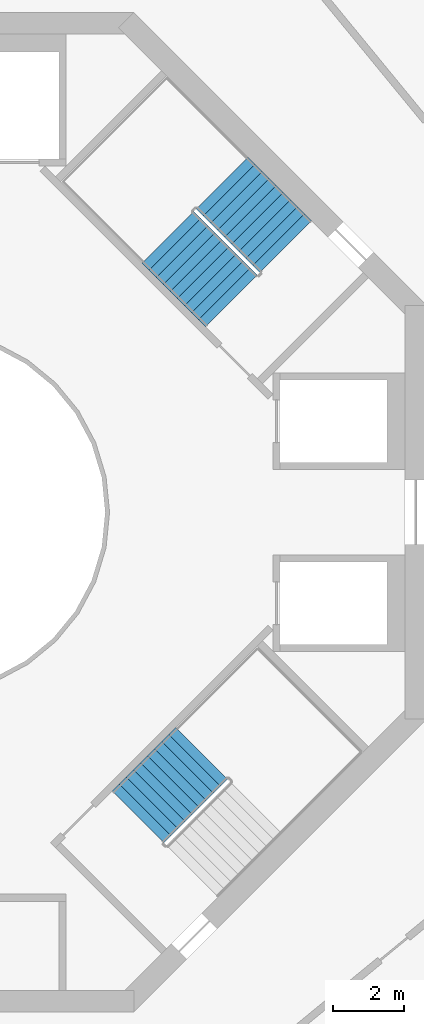
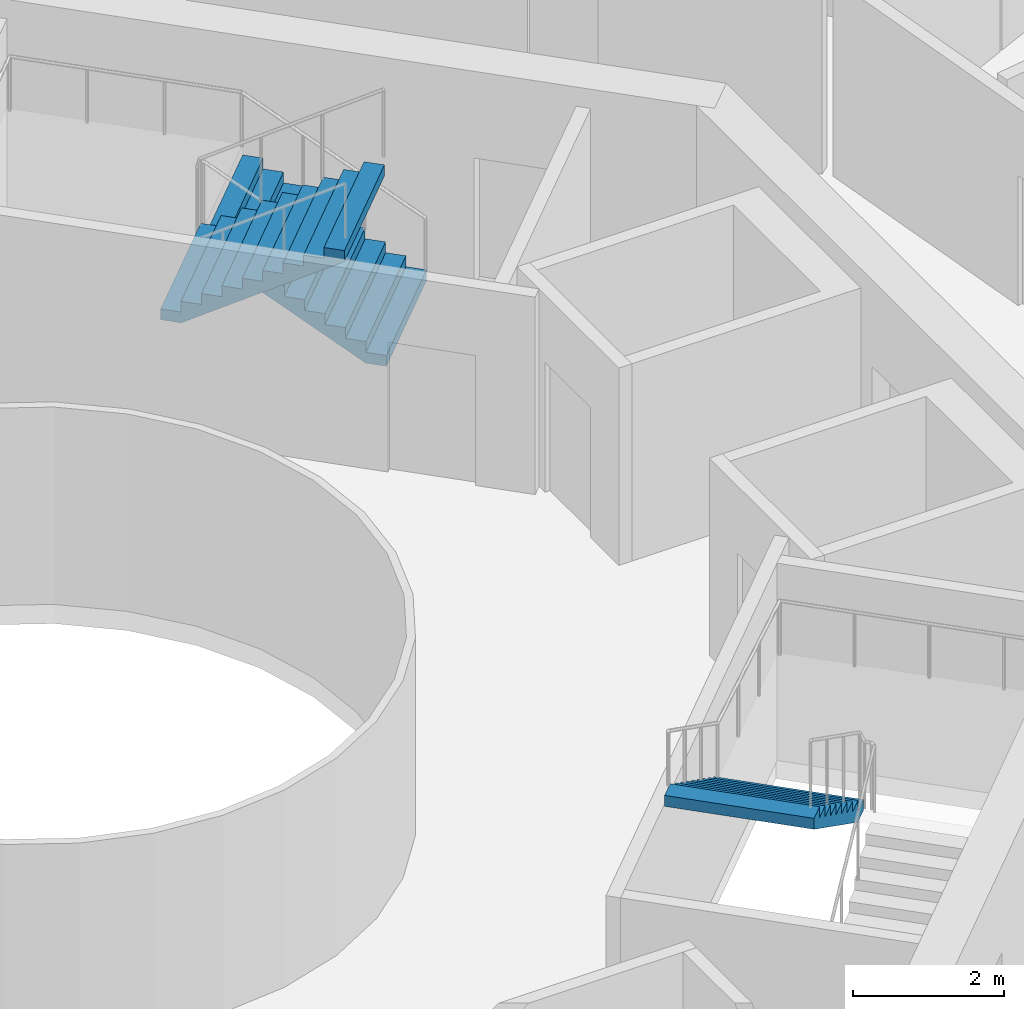
# One storey, part 20 of 21: 3 stair flights, 2 elements without a shape of their own.
"""IFC4 building model written with IfcOpenShell, lengths in metres."""

import ifcopenshell
import ifcopenshell.guid

model = None  # the IFC model being written
_history = None  # IfcOwnerHistory: only IFC2X3 demands one
_inside = {}  # id of a spatial element -> (the spatial element, [elements in it])
_under = {}  # id of a project, library or spatial element -> (it, [spatial elements below it])
_declared = {}  # id of a project -> (the project, [libraries it declares])
_typed = {}  # id of a type object -> (the type object, [elements of that type])
_made_of = {}  # id of a material, layer set ... -> (it, [elements and type objects made of it])


def new_model(schema):
    """Start an empty IFC model of exactly this schema.

    Asked for "IFC4X3", IfcOpenShell would pick the latest addendum, in which some entities
    have other attributes; the version numbers below select the first issue.
    IFC2X3 requires an IfcOwnerHistory on every rooted entity: one is made here for all.
    """
    global model, _history
    if schema == "IFC4X3":
        model = ifcopenshell.file(schema_version=(4, 3, 0, 0))
    else:
        model = ifcopenshell.file(schema=schema)
    _inside.clear()
    _under.clear()
    _declared.clear()
    _typed.clear()
    _made_of.clear()
    _history = None
    if model.schema == "IFC2X3":
        org = make("IfcOrganization", Name="unknown")
        user = make(
            "IfcPersonAndOrganization",
            ThePerson=make("IfcPerson", FamilyName="unknown"),
            TheOrganization=org,
        )
        app = make(
            "IfcApplication",
            ApplicationDeveloper=org,
            Version="unknown",
            ApplicationFullName="unknown",
            ApplicationIdentifier="unknown",
        )
        _history = make(
            "IfcOwnerHistory",
            OwningUser=user,
            OwningApplication=app,
            ChangeAction="ADDED",
            CreationDate=0,
        )
    return model


def make(cls, **values):
    """One entity of the class cls with the attributes given. An attribute that is None is left unset."""
    return model.create_entity(
        cls, **{name: value for name, value in values.items() if value is not None}
    )


def rooted(cls, **values):
    """An entity with a GlobalId (a new one), such as an element, a storey or a relation."""
    return make(cls, GlobalId=ifcopenshell.guid.new(), OwnerHistory=_history, **values)


def si_unit(unit_type, name, prefix=None):
    """IfcSIUnit, for example si_unit("LENGTHUNIT", "METRE", prefix="MILLI")."""
    return make("IfcSIUnit", UnitType=unit_type, Prefix=prefix, Name=name)


def assignment(units):
    """IfcUnitAssignment: the units of a project."""
    return None if units is None else make("IfcUnitAssignment", Units=units)


def point(xyz):
    """IfcCartesianPoint."""
    return None if xyz is None else make("IfcCartesianPoint", Coordinates=xyz)


def direction(xyz):
    """IfcDirection."""
    return None if xyz is None else make("IfcDirection", DirectionRatios=xyz)


def frame(location, z_axis=None, x_axis=None):
    """IfcAxis2Placement3D, a coordinate frame: its origin and axes. An axis left out is left unset."""
    return make(
        "IfcAxis2Placement3D",
        Location=point(location),
        Axis=direction(z_axis),
        RefDirection=direction(x_axis),
    )


def origin():
    """The frame at (0, 0, 0) with its axes left unset."""
    return frame((0.0, 0.0, 0.0))


def place(relative_to, where):
    """IfcLocalPlacement: puts the frame where relative to a parent placement (None: the world)."""
    return make(
        "IfcLocalPlacement", PlacementRelTo=relative_to, RelativePlacement=where
    )


def context(
    kind, dimensions, precision=None, world=None, true_north=None, identifier=None
):
    """IfcGeometricRepresentationContext, for example the 3D "Model" context."""
    return make(
        "IfcGeometricRepresentationContext",
        ContextIdentifier=identifier,
        ContextType=kind,
        CoordinateSpaceDimension=dimensions,
        Precision=precision,
        WorldCoordinateSystem=world,
        TrueNorth=true_north,
    )


def subcontext(parent, identifier, kind, view, scale=None):
    """IfcGeometricRepresentationSubContext, for example "Body" below "Model"."""
    return make(
        "IfcGeometricRepresentationSubContext",
        ContextIdentifier=identifier,
        ContextType=kind,
        ParentContext=parent,
        TargetScale=scale,
        TargetView=view,
    )


def project(units=None, contexts=None):
    """IfcProject with its units and contexts."""
    return rooted(
        "IfcProject",
        Name="project",
        RepresentationContexts=contexts,
        UnitsInContext=assignment(units),
    )


def spatial(cls, under=None, at=None, **own):
    """A site, building, storey or space (cls), placed at a placement, below another one or the project."""
    s = rooted(cls, ObjectPlacement=at, **own)
    if under is not None:
        _under.setdefault(under.id(), (under, []))[1].append(s)
    return s


def point_list(points):
    """IfcCartesianPointList2D or 3D."""
    cls = (
        "IfcCartesianPointList2D" if len(points[0]) == 2 else "IfcCartesianPointList3D"
    )
    return make(cls, CoordList=points)


def triangles(points, corners, closed=None, point_numbers=None):
    """IfcTriangulatedFaceSet: each triangle names its three corners, points numbered from 1."""
    return make(
        "IfcTriangulatedFaceSet",
        Coordinates=point_list(points),
        Closed=closed,
        CoordIndex=corners,
        PnIndex=point_numbers,
    )


def shape(context_of_items, identifier, shape_type, items):
    """IfcShapeRepresentation: the items that make up one representation, for example the "Body"."""
    return make(
        "IfcShapeRepresentation",
        ContextOfItems=context_of_items,
        RepresentationIdentifier=identifier,
        RepresentationType=shape_type,
        Items=items,
    )


def material(Name=None, Category=None):
    """IfcMaterial."""
    return make("IfcMaterial", Name=Name, Category=Category)


def made_of(thing, what):
    """Note that an element or type object is made of a material, layer set ...; save() writes the relation."""
    if what is not None:
        _made_of.setdefault(what.id(), (what, []))[1].append(thing)
    return thing


def type_object(cls, material=None, **own):
    """A type object (cls), such as IfcWallType, which elements share."""
    return made_of(rooted(cls, **own), material)


def element(
    cls,
    number,
    at=None,
    inside=None,
    cuts=None,
    type_object=None,
    material=None,
    context=None,
    identifier="Body",
    shape_type=None,
    held_by="IfcProductDefinitionShape",
    body=None,
    shapes=None,
    **own,
):
    """One element of the class cls, such as IfcWall. Its Tag is "e" and its number.

    at: its placement. inside: the storey or other place that contains it. cuts: it is an
    opening in that element (IfcRelVoidsElement). A single representation is given by context,
    identifier, shape_type and body (its items); several are given by shapes. held_by: the class
    of the entity that holds the representations. save() writes the other relations.
    """
    e = rooted(cls, Tag="e%d" % number, ObjectPlacement=at, **own)
    if body is not None:
        shapes = [shape(context, identifier, shape_type, body)]
    if shapes is not None:
        e.Representation = make(held_by, Representations=shapes)
    if inside is not None:
        _inside.setdefault(inside.id(), (inside, []))[1].append(e)
    if cuts is not None:
        rooted(
            "IfcRelVoidsElement", RelatingBuildingElement=cuts, RelatedOpeningElement=e
        )
    if type_object is not None:
        _typed.setdefault(type_object.id(), (type_object, []))[1].append(e)
    return made_of(e, material)


def aggregate(whole, parts):
    """IfcRelAggregates: a whole, such as a stair, and the parts it consists of."""
    return rooted("IfcRelAggregates", RelatingObject=whole, RelatedObjects=parts)


def save(model, path):
    """Write the relations noted so far, then the file.

    IfcRelAggregates (storeys below a building ...), IfcRelContainedInSpatialStructure (elements
    in a storey), IfcRelDefinesByType, IfcRelAssociatesMaterial and IfcRelDeclares: one each for
    every whole, place, type object, material and project.
    """
    for whole, parts in _under.values():
        aggregate(whole, parts)
    for where, things in _inside.values():
        rooted(
            "IfcRelContainedInSpatialStructure",
            RelatedElements=things,
            RelatingStructure=where,
        )
    for kind, things in _typed.values():
        rooted("IfcRelDefinesByType", RelatedObjects=things, RelatingType=kind)
    for what, things in _made_of.values():
        rooted("IfcRelAssociatesMaterial", RelatedObjects=things, RelatingMaterial=what)
    for by, libraries in _declared.values():
        rooted("IfcRelDeclares", RelatingContext=by, RelatedDefinitions=libraries)
    model.write(path)


model = new_model("IFC4")

# Units and contexts
model_context = context("Model", 3, precision=1e-05, world=origin(), true_north=direction((0.0, 1.0)))
body_context = subcontext(model_context, "Body", "Model", "MODEL_VIEW")
ifc_project = project(units=[si_unit("LENGTHUNIT", "METRE"), si_unit("AREAUNIT", "SQUARE_METRE"), si_unit("VOLUMEUNIT", "CUBIC_METRE"), si_unit("PLANEANGLEUNIT", "RADIAN"), si_unit("MASSUNIT", "GRAM", prefix="KILO")], contexts=[model_context])

# Site, building, storey
site_placement = place(None, origin())
site = spatial("IfcSite", under=ifc_project, at=site_placement, CompositionType="ELEMENT")
building_placement = place(site_placement, origin())
building = spatial("IfcBuilding", under=site, at=building_placement, Name="Verdalira Terraces Hotel", CompositionType="ELEMENT")
storey_placement = place(building_placement, frame((0.0, 0.0, 194.0)))
storey = spatial("IfcBuildingStorey", under=building, at=storey_placement, Name="L47", CompositionType="ELEMENT", Elevation=194.0)

# Stair, stair flights
ifc_material_1 = material(Name="Concrete C40", Category="concrete")
stair_type = type_object("IfcStairType", Name="Core stair 20 risers 2050 mm wide", PredefinedType="HALF_TURN_STAIR", material=ifc_material_1)
stair_1_placement = place(storey_placement, origin())
stair_1 = element("IfcStair", 1, at=stair_1_placement, inside=storey, type_object=stair_type, Name="L47 Exit stair ST1", PredefinedType="HALF_TURN_STAIR")
ifc_material_2 = material(Name="Concrete C40", Category="concrete")
stair_flight_type = type_object("IfcStairFlightType", Name="Core stair flight 20 risers 2050 mm wide", PredefinedType="STRAIGHT", material=ifc_material_2)
stair_flight_1_placement = place(storey_placement, frame((10.058594, 7.442383, 0.0), z_axis=(0.0, 0.0, 1.0), x_axis=(-0.707106781, 0.707106781, 0.0)))
stair_flight_1 = element("IfcStairFlight", 2, at=stair_flight_1_placement, type_object=stair_flight_type, Name="ST1 flight 1", NumberOfRisers=10, NumberOfTreads=9, PredefinedType="STRAIGHT", RiserHeight=0.175, TreadLength=0.28, context=body_context, shape_type="Tessellation", body=[
    triangles([(0.0, 1.025024, 0.0), (0.282715, 1.025024, 0.0), (2.52002, 1.025024, 1.398193), (0.0, -1.025024, 0.0), (0.282715, -1.025024, 0.0), (2.52002, -1.025024, 1.398193), (2.52002, 1.025024, 1.574951), (2.23999, 1.025024, 1.574951), (2.52002, -1.025024, 1.574951), (2.23999, -1.025024, 1.574951), (2.23999, 1.025024, 1.399902), (2.23999, -1.025024, 1.399902), (1.959961, 1.025024, 1.399902), (1.959961, -1.025024, 1.399902), (1.959961, 1.025024, 1.225098), (1.959961, -1.025024, 1.225098), (1.679932, 1.025024, 1.225098), (1.679932, 1.025024, 1.050049), (1.679932, -1.025024, 1.225098), (1.679932, -1.025024, 1.050049), (1.399902, 1.025024, 1.050049), (1.399902, 1.025024, 0.875), (1.399902, -1.025024, 1.050049), (1.399902, -1.025024, 0.875), (1.120117, 1.025024, 0.875), (1.120117, 1.025024, 0.699951), (1.120117, -1.025024, 0.875), (1.120117, -1.025024, 0.699951), (0.840088, 1.025024, 0.699951), (0.840088, 1.025024, 0.524902), (0.840088, -1.025024, 0.699951), (0.840088, -1.025024, 0.524902), (0.560059, 1.025024, 0.524902), (0.560059, 1.025024, 0.350098), (0.560059, -1.025024, 0.524902), (0.560059, -1.025024, 0.350098), (0.280029, 1.025024, 0.350098), (0.280029, 1.025024, 0.175049), (0.280029, -1.025024, 0.350098), (0.280029, -1.025024, 0.175049), (0.0, 1.025024, 0.175049), (0.0, -1.025024, 0.175049), (0.0, -0.96096, 0.0), (0.0, -0.96096, 0.175049), (0.0, -0.896896, 0.0), (0.0, -0.896896, 0.175049), (0.0, -0.832832, 0.0), (0.0, -0.832832, 0.175049), (0.0, -0.768768, 0.0), (0.0, -0.768768, 0.175049), (0.0, -0.704704, 0.0), (0.0, -0.704704, 0.175049), (0.0, -0.64064, 0.0), (0.0, -0.64064, 0.175049), (0.0, -0.576576, 0.0), (0.0, -0.576576, 0.175049), (0.0, -0.512512, 0.0), (0.0, -0.512512, 0.175049), (0.0, -0.448448, 0.0), (0.0, -0.448448, 0.175049), (0.0, -0.384384, 0.0), (0.0, -0.384384, 0.175049), (0.0, -0.32032, 0.0), (0.0, -0.32032, 0.175049), (0.0, -0.256256, 0.0), (0.0, -0.256256, 0.175049), (0.0, -0.192192, 0.0), (0.0, -0.192192, 0.175049), (0.0, -0.128128, 0.0), (0.0, -0.128128, 0.175049), (0.0, -0.064064, 0.0), (0.0, -0.064064, 0.175049), (0.0, 0.0, 0.0), (0.0, 0.0, 0.175049), (0.0, 0.064064, 0.0), (0.0, 0.064064, 0.175049), (0.0, 0.128128, 0.0), (0.0, 0.128128, 0.175049), (0.0, 0.192192, 0.0), (0.0, 0.192192, 0.175049), (0.0, 0.256256, 0.0), (0.0, 0.256256, 0.175049), (0.0, 0.32032, 0.0), (0.0, 0.32032, 0.175049), (0.0, 0.384384, 0.0), (0.0, 0.384384, 0.175049), (0.0, 0.448448, 0.0), (0.0, 0.448448, 0.175049), (0.0, 0.512512, 0.0), (0.0, 0.512512, 0.175049), (0.0, 0.576576, 0.0), (0.0, 0.576576, 0.175049), (0.0, 0.64064, 0.0), (0.0, 0.64064, 0.175049), (0.0, 0.704704, 0.0), (0.0, 0.704704, 0.175049), (0.0, 0.768768, 0.0), (0.0, 0.768768, 0.175049), (0.0, 0.832832, 0.0), (0.0, 0.832832, 0.175049), (0.0, 0.896896, 0.0), (0.0, 0.896896, 0.175049), (0.0, 0.96096, 0.0), (0.0, 0.96096, 0.175049), (2.52002, -0.96096, 1.574951), (2.52002, -0.896896, 1.574951), (2.52002, -0.832832, 1.574951), (2.52002, -0.768768, 1.574951), (2.52002, -0.704704, 1.574951), (2.52002, -0.64064, 1.574951), (2.52002, -0.576576, 1.574951), (2.52002, -0.512512, 1.574951), (2.52002, -0.448448, 1.574951), (2.52002, -0.384384, 1.574951), (2.52002, -0.32032, 1.574951), (2.52002, -0.256256, 1.574951), (2.52002, -0.192192, 1.574951), (2.52002, -0.128128, 1.574951), (2.52002, -0.064064, 1.574951), (2.52002, 0.0, 1.574951), (2.52002, 0.064064, 1.574951), (2.52002, 0.128128, 1.574951), (2.52002, 0.192192, 1.574951), (2.52002, 0.256256, 1.574951), (2.52002, 0.32032, 1.574951), (2.52002, 0.384384, 1.574951), (2.52002, 0.448448, 1.574951), (2.52002, 0.512512, 1.574951), (2.52002, 0.576576, 1.574951), (2.52002, 0.64064, 1.574951), (2.52002, 0.704704, 1.574951), (2.52002, 0.768768, 1.574951), (2.52002, 0.832832, 1.574951), (2.52002, 0.896896, 1.574951), (2.52002, 0.96096, 1.574951), (2.52002, -0.96096, 1.398193), (2.52002, -0.896896, 1.398193), (2.52002, -0.832832, 1.398193), (2.52002, -0.768768, 1.398193), (2.52002, -0.704704, 1.398193), (2.52002, -0.64064, 1.398193), (2.52002, -0.576576, 1.398193), (2.52002, -0.512512, 1.398193), (2.52002, -0.448448, 1.398193), (2.52002, -0.384384, 1.398193), (2.52002, -0.32032, 1.398193), (2.52002, -0.256256, 1.398193), (2.52002, -0.192192, 1.398193), (2.52002, -0.128128, 1.398193), (2.52002, -0.064064, 1.398193), (2.52002, 0.0, 1.398193), (2.52002, 0.064064, 1.398193), (2.52002, 0.128128, 1.398193), (2.52002, 0.192192, 1.398193), (2.52002, 0.256256, 1.398193), (2.52002, 0.32032, 1.398193), (2.52002, 0.384384, 1.398193), (2.52002, 0.448448, 1.398193), (2.52002, 0.512512, 1.398193), (2.52002, 0.576576, 1.398193), (2.52002, 0.64064, 1.398193), (2.52002, 0.704704, 1.398193), (2.52002, 0.768768, 1.398193), (2.52002, 0.832832, 1.398193), (2.52002, 0.896896, 1.398193), (2.52002, 0.96096, 1.398193)], [[1, 3, 2], [4, 5, 6], [3, 8, 7], [6, 9, 10], [3, 11, 8], [6, 10, 12], [3, 13, 11], [6, 12, 14], [3, 15, 13], [6, 14, 16], [15, 18, 17], [16, 19, 20], [3, 18, 15], [6, 16, 20], [18, 22, 21], [20, 23, 24], [3, 22, 18], [6, 20, 24], [22, 26, 25], [24, 27, 28], [3, 26, 22], [6, 24, 28], [26, 30, 29], [28, 31, 32], [3, 30, 26], [6, 28, 32], [1, 30, 3], [4, 6, 32], [30, 34, 33], [32, 35, 36], [34, 38, 37], [36, 39, 40], [30, 38, 34], [32, 36, 40], [1, 38, 30], [4, 32, 40], [38, 1, 41], [40, 42, 4], [4, 44, 43], [4, 42, 44], [43, 46, 45], [43, 44, 46], [45, 48, 47], [45, 46, 48], [47, 50, 49], [47, 48, 50], [49, 52, 51], [49, 50, 52], [51, 54, 53], [51, 52, 54], [53, 56, 55], [53, 54, 56], [55, 58, 57], [55, 56, 58], [57, 60, 59], [57, 58, 60], [59, 62, 61], [59, 60, 62], [61, 64, 63], [61, 62, 64], [63, 66, 65], [63, 64, 66], [65, 68, 67], [65, 66, 68], [67, 70, 69], [67, 68, 70], [69, 72, 71], [69, 70, 72], [71, 74, 73], [71, 72, 74], [73, 76, 75], [73, 74, 76], [75, 78, 77], [75, 76, 78], [77, 80, 79], [77, 78, 80], [79, 82, 81], [79, 80, 82], [81, 84, 83], [81, 82, 84], [83, 86, 85], [83, 84, 86], [85, 88, 87], [85, 86, 88], [87, 90, 89], [87, 88, 90], [89, 92, 91], [89, 90, 92], [91, 94, 93], [91, 92, 94], [93, 96, 95], [93, 94, 96], [95, 98, 97], [95, 96, 98], [97, 100, 99], [97, 98, 100], [99, 102, 101], [99, 100, 102], [101, 104, 103], [101, 102, 104], [103, 41, 1], [103, 104, 41], [42, 40, 44], [44, 40, 46], [46, 40, 48], [48, 40, 50], [50, 40, 52], [52, 40, 54], [54, 40, 56], [56, 40, 58], [58, 40, 60], [60, 40, 62], [62, 40, 64], [64, 40, 66], [66, 40, 68], [68, 40, 70], [70, 40, 72], [72, 40, 74], [74, 40, 76], [76, 40, 78], [78, 40, 80], [80, 40, 82], [82, 40, 84], [84, 40, 86], [86, 40, 88], [88, 40, 90], [90, 40, 92], [92, 40, 94], [94, 40, 96], [96, 40, 98], [98, 40, 100], [100, 40, 102], [102, 40, 104], [104, 40, 41], [41, 40, 38], [40, 37, 38], [40, 39, 37], [39, 34, 37], [39, 36, 34], [36, 33, 34], [36, 35, 33], [35, 30, 33], [35, 32, 30], [32, 29, 30], [32, 31, 29], [31, 26, 29], [31, 28, 26], [28, 25, 26], [28, 27, 25], [27, 22, 25], [27, 24, 22], [24, 21, 22], [24, 23, 21], [23, 18, 21], [23, 20, 18], [20, 17, 18], [20, 19, 17], [19, 15, 17], [19, 16, 15], [16, 13, 15], [16, 14, 13], [14, 11, 13], [14, 12, 11], [12, 8, 11], [12, 10, 8], [9, 105, 10], [105, 106, 10], [106, 107, 10], [107, 108, 10], [108, 109, 10], [109, 110, 10], [110, 111, 10], [111, 112, 10], [112, 113, 10], [113, 114, 10], [114, 115, 10], [115, 116, 10], [116, 117, 10], [117, 118, 10], [118, 119, 10], [119, 120, 10], [120, 121, 10], [121, 122, 10], [122, 123, 10], [123, 124, 10], [124, 125, 10], [125, 126, 10], [126, 127, 10], [127, 128, 10], [128, 129, 10], [129, 130, 10], [130, 131, 10], [131, 132, 10], [132, 133, 10], [133, 134, 10], [134, 135, 10], [135, 7, 10], [7, 8, 10], [9, 136, 105], [9, 6, 136], [105, 137, 106], [105, 136, 137], [106, 138, 107], [106, 137, 138], [107, 139, 108], [107, 138, 139], [108, 140, 109], [108, 139, 140], [109, 141, 110], [109, 140, 141], [110, 142, 111], [110, 141, 142], [111, 143, 112], [111, 142, 143], [112, 144, 113], [112, 143, 144], [113, 145, 114], [113, 144, 145], [114, 146, 115], [114, 145, 146], [115, 147, 116], [115, 146, 147], [116, 148, 117], [116, 147, 148], [117, 149, 118], [117, 148, 149], [118, 150, 119], [118, 149, 150], [119, 151, 120], [119, 150, 151], [120, 152, 121], [120, 151, 152], [121, 153, 122], [121, 152, 153], [122, 154, 123], [122, 153, 154], [123, 155, 124], [123, 154, 155], [124, 156, 125], [124, 155, 156], [125, 157, 126], [125, 156, 157], [126, 158, 127], [126, 157, 158], [127, 159, 128], [127, 158, 159], [128, 160, 129], [128, 159, 160], [129, 161, 130], [129, 160, 161], [130, 162, 131], [130, 161, 162], [131, 163, 132], [131, 162, 163], [132, 164, 133], [132, 163, 164], [133, 165, 134], [133, 164, 165], [134, 166, 135], [134, 165, 166], [135, 3, 7], [135, 166, 3], [6, 5, 136], [136, 5, 137], [137, 5, 138], [138, 5, 139], [139, 5, 140], [140, 5, 141], [141, 5, 142], [142, 5, 143], [143, 5, 144], [144, 5, 145], [145, 5, 146], [146, 5, 147], [147, 5, 148], [148, 5, 149], [149, 5, 150], [150, 5, 151], [151, 5, 152], [152, 5, 153], [153, 5, 154], [154, 5, 155], [155, 5, 156], [156, 5, 157], [157, 5, 158], [158, 5, 159], [159, 5, 160], [160, 5, 161], [161, 5, 162], [162, 5, 163], [163, 5, 164], [164, 5, 165], [165, 5, 166], [166, 5, 3], [3, 5, 2], [4, 43, 5], [43, 45, 5], [45, 47, 5], [47, 49, 5], [49, 51, 5], [51, 53, 5], [53, 55, 5], [55, 57, 5], [57, 59, 5], [59, 61, 5], [61, 63, 5], [63, 65, 5], [65, 67, 5], [67, 69, 5], [69, 71, 5], [71, 73, 5], [73, 75, 5], [75, 77, 5], [77, 79, 5], [79, 81, 5], [81, 83, 5], [83, 85, 5], [85, 87, 5], [87, 89, 5], [89, 91, 5], [91, 93, 5], [93, 95, 5], [95, 97, 5], [97, 99, 5], [99, 101, 5], [101, 103, 5], [103, 1, 5], [1, 2, 5]], closed=True),
])
stair_flight_2_placement = place(storey_placement, frame((6.756348, 7.703857, 1.75), z_axis=(0.0, 0.0, 1.0), x_axis=(0.707106781, -0.707106781, 0.0)))
stair_flight_2 = element("IfcStairFlight", 3, at=stair_flight_2_placement, type_object=stair_flight_type, Name="ST1 flight 2", NumberOfRisers=10, NumberOfTreads=9, PredefinedType="STRAIGHT", RiserHeight=0.175, TreadLength=0.28, context=body_context, shape_type="Tessellation", body=[
    triangles([(0.0, 1.025024, 0.0), (0.282715, 1.025024, 0.0), (2.52002, 1.025024, 1.398193), (0.0, -1.025024, 0.0), (0.282715, -1.025024, 0.0), (2.52002, -1.025024, 1.398193), (2.52002, 1.025024, 1.574951), (2.23999, 1.025024, 1.574951), (2.52002, -1.025024, 1.574951), (2.23999, -1.025024, 1.574951), (2.23999, 1.025024, 1.399902), (2.23999, -1.025024, 1.399902), (1.959961, 1.025024, 1.399902), (1.959961, -1.025024, 1.399902), (1.959961, 1.025024, 1.225098), (1.959961, -1.025024, 1.225098), (1.679932, 1.025024, 1.225098), (1.679932, 1.025024, 1.050049), (1.679932, -1.025024, 1.225098), (1.679932, -1.025024, 1.050049), (1.399902, 1.025024, 1.050049), (1.399902, 1.025024, 0.875), (1.399902, -1.025024, 1.050049), (1.399902, -1.025024, 0.875), (1.120117, 1.025024, 0.875), (1.120117, 1.025024, 0.699951), (1.120117, -1.025024, 0.875), (1.120117, -1.025024, 0.699951), (0.840088, 1.025024, 0.699951), (0.840088, 1.025024, 0.524902), (0.840088, -1.025024, 0.699951), (0.840088, -1.025024, 0.524902), (0.560059, 1.025024, 0.524902), (0.560059, 1.025024, 0.350098), (0.560059, -1.025024, 0.524902), (0.560059, -1.025024, 0.350098), (0.280029, 1.025024, 0.350098), (0.280029, 1.025024, 0.175049), (0.280029, -1.025024, 0.350098), (0.280029, -1.025024, 0.175049), (0.0, 1.025024, 0.175049), (0.0, -1.025024, 0.175049), (0.0, -0.96096, 0.0), (0.0, -0.96096, 0.175049), (0.0, -0.896896, 0.0), (0.0, -0.896896, 0.175049), (0.0, -0.832832, 0.0), (0.0, -0.832832, 0.175049), (0.0, -0.768768, 0.0), (0.0, -0.768768, 0.175049), (0.0, -0.704704, 0.0), (0.0, -0.704704, 0.175049), (0.0, -0.64064, 0.0), (0.0, -0.64064, 0.175049), (0.0, -0.576576, 0.0), (0.0, -0.576576, 0.175049), (0.0, -0.512512, 0.0), (0.0, -0.512512, 0.175049), (0.0, -0.448448, 0.0), (0.0, -0.448448, 0.175049), (0.0, -0.384384, 0.0), (0.0, -0.384384, 0.175049), (0.0, -0.32032, 0.0), (0.0, -0.32032, 0.175049), (0.0, -0.256256, 0.0), (0.0, -0.256256, 0.175049), (0.0, -0.192192, 0.0), (0.0, -0.192192, 0.175049), (0.0, -0.128128, 0.0), (0.0, -0.128128, 0.175049), (0.0, -0.064064, 0.0), (0.0, -0.064064, 0.175049), (0.0, 0.0, 0.0), (0.0, 0.0, 0.175049), (0.0, 0.064064, 0.0), (0.0, 0.064064, 0.175049), (0.0, 0.128128, 0.0), (0.0, 0.128128, 0.175049), (0.0, 0.192192, 0.0), (0.0, 0.192192, 0.175049), (0.0, 0.256256, 0.0), (0.0, 0.256256, 0.175049), (0.0, 0.32032, 0.0), (0.0, 0.32032, 0.175049), (0.0, 0.384384, 0.0), (0.0, 0.384384, 0.175049), (0.0, 0.448448, 0.0), (0.0, 0.448448, 0.175049), (0.0, 0.512512, 0.0), (0.0, 0.512512, 0.175049), (0.0, 0.576576, 0.0), (0.0, 0.576576, 0.175049), (0.0, 0.64064, 0.0), (0.0, 0.64064, 0.175049), (0.0, 0.704704, 0.0), (0.0, 0.704704, 0.175049), (0.0, 0.768768, 0.0), (0.0, 0.768768, 0.175049), (0.0, 0.832832, 0.0), (0.0, 0.832832, 0.175049), (0.0, 0.896896, 0.0), (0.0, 0.896896, 0.175049), (0.0, 0.96096, 0.0), (0.0, 0.96096, 0.175049), (2.52002, -0.96096, 1.574951), (2.52002, -0.896896, 1.574951), (2.52002, -0.832832, 1.574951), (2.52002, -0.768768, 1.574951), (2.52002, -0.704704, 1.574951), (2.52002, -0.64064, 1.574951), (2.52002, -0.576576, 1.574951), (2.52002, -0.512512, 1.574951), (2.52002, -0.448448, 1.574951), (2.52002, -0.384384, 1.574951), (2.52002, -0.32032, 1.574951), (2.52002, -0.256256, 1.574951), (2.52002, -0.192192, 1.574951), (2.52002, -0.128128, 1.574951), (2.52002, -0.064064, 1.574951), (2.52002, 0.0, 1.574951), (2.52002, 0.064064, 1.574951), (2.52002, 0.128128, 1.574951), (2.52002, 0.192192, 1.574951), (2.52002, 0.256256, 1.574951), (2.52002, 0.32032, 1.574951), (2.52002, 0.384384, 1.574951), (2.52002, 0.448448, 1.574951), (2.52002, 0.512512, 1.574951), (2.52002, 0.576576, 1.574951), (2.52002, 0.64064, 1.574951), (2.52002, 0.704704, 1.574951), (2.52002, 0.768768, 1.574951), (2.52002, 0.832832, 1.574951), (2.52002, 0.896896, 1.574951), (2.52002, 0.96096, 1.574951), (2.52002, -0.96096, 1.398193), (2.52002, -0.896896, 1.398193), (2.52002, -0.832832, 1.398193), (2.52002, -0.768768, 1.398193), (2.52002, -0.704704, 1.398193), (2.52002, -0.64064, 1.398193), (2.52002, -0.576576, 1.398193), (2.52002, -0.512512, 1.398193), (2.52002, -0.448448, 1.398193), (2.52002, -0.384384, 1.398193), (2.52002, -0.32032, 1.398193), (2.52002, -0.256256, 1.398193), (2.52002, -0.192192, 1.398193), (2.52002, -0.128128, 1.398193), (2.52002, -0.064064, 1.398193), (2.52002, 0.0, 1.398193), (2.52002, 0.064064, 1.398193), (2.52002, 0.128128, 1.398193), (2.52002, 0.192192, 1.398193), (2.52002, 0.256256, 1.398193), (2.52002, 0.32032, 1.398193), (2.52002, 0.384384, 1.398193), (2.52002, 0.448448, 1.398193), (2.52002, 0.512512, 1.398193), (2.52002, 0.576576, 1.398193), (2.52002, 0.64064, 1.398193), (2.52002, 0.704704, 1.398193), (2.52002, 0.768768, 1.398193), (2.52002, 0.832832, 1.398193), (2.52002, 0.896896, 1.398193), (2.52002, 0.96096, 1.398193)], [[1, 3, 2], [4, 5, 6], [3, 8, 7], [6, 9, 10], [3, 11, 8], [6, 10, 12], [3, 13, 11], [6, 12, 14], [3, 15, 13], [6, 14, 16], [15, 18, 17], [16, 19, 20], [3, 18, 15], [6, 16, 20], [18, 22, 21], [20, 23, 24], [3, 22, 18], [6, 20, 24], [22, 26, 25], [24, 27, 28], [3, 26, 22], [6, 24, 28], [26, 30, 29], [28, 31, 32], [3, 30, 26], [6, 28, 32], [1, 30, 3], [4, 6, 32], [30, 34, 33], [32, 35, 36], [34, 38, 37], [36, 39, 40], [30, 38, 34], [32, 36, 40], [1, 38, 30], [4, 32, 40], [38, 1, 41], [40, 42, 4], [4, 44, 43], [4, 42, 44], [43, 46, 45], [43, 44, 46], [45, 48, 47], [45, 46, 48], [47, 50, 49], [47, 48, 50], [49, 52, 51], [49, 50, 52], [51, 54, 53], [51, 52, 54], [53, 56, 55], [53, 54, 56], [55, 58, 57], [55, 56, 58], [57, 60, 59], [57, 58, 60], [59, 62, 61], [59, 60, 62], [61, 64, 63], [61, 62, 64], [63, 66, 65], [63, 64, 66], [65, 68, 67], [65, 66, 68], [67, 70, 69], [67, 68, 70], [69, 72, 71], [69, 70, 72], [71, 74, 73], [71, 72, 74], [73, 76, 75], [73, 74, 76], [75, 78, 77], [75, 76, 78], [77, 80, 79], [77, 78, 80], [79, 82, 81], [79, 80, 82], [81, 84, 83], [81, 82, 84], [83, 86, 85], [83, 84, 86], [85, 88, 87], [85, 86, 88], [87, 90, 89], [87, 88, 90], [89, 92, 91], [89, 90, 92], [91, 94, 93], [91, 92, 94], [93, 96, 95], [93, 94, 96], [95, 98, 97], [95, 96, 98], [97, 100, 99], [97, 98, 100], [99, 102, 101], [99, 100, 102], [101, 104, 103], [101, 102, 104], [103, 41, 1], [103, 104, 41], [42, 40, 44], [44, 40, 46], [46, 40, 48], [48, 40, 50], [50, 40, 52], [52, 40, 54], [54, 40, 56], [56, 40, 58], [58, 40, 60], [60, 40, 62], [62, 40, 64], [64, 40, 66], [66, 40, 68], [68, 40, 70], [70, 40, 72], [72, 40, 74], [74, 40, 76], [76, 40, 78], [78, 40, 80], [80, 40, 82], [82, 40, 84], [84, 40, 86], [86, 40, 88], [88, 40, 90], [90, 40, 92], [92, 40, 94], [94, 40, 96], [96, 40, 98], [98, 40, 100], [100, 40, 102], [102, 40, 104], [104, 40, 41], [41, 40, 38], [40, 37, 38], [40, 39, 37], [39, 34, 37], [39, 36, 34], [36, 33, 34], [36, 35, 33], [35, 30, 33], [35, 32, 30], [32, 29, 30], [32, 31, 29], [31, 26, 29], [31, 28, 26], [28, 25, 26], [28, 27, 25], [27, 22, 25], [27, 24, 22], [24, 21, 22], [24, 23, 21], [23, 18, 21], [23, 20, 18], [20, 17, 18], [20, 19, 17], [19, 15, 17], [19, 16, 15], [16, 13, 15], [16, 14, 13], [14, 11, 13], [14, 12, 11], [12, 8, 11], [12, 10, 8], [9, 105, 10], [105, 106, 10], [106, 107, 10], [107, 108, 10], [108, 109, 10], [109, 110, 10], [110, 111, 10], [111, 112, 10], [112, 113, 10], [113, 114, 10], [114, 115, 10], [115, 116, 10], [116, 117, 10], [117, 118, 10], [118, 119, 10], [119, 120, 10], [120, 121, 10], [121, 122, 10], [122, 123, 10], [123, 124, 10], [124, 125, 10], [125, 126, 10], [126, 127, 10], [127, 128, 10], [128, 129, 10], [129, 130, 10], [130, 131, 10], [131, 132, 10], [132, 133, 10], [133, 134, 10], [134, 135, 10], [135, 7, 10], [7, 8, 10], [9, 136, 105], [9, 6, 136], [105, 137, 106], [105, 136, 137], [106, 138, 107], [106, 137, 138], [107, 139, 108], [107, 138, 139], [108, 140, 109], [108, 139, 140], [109, 141, 110], [109, 140, 141], [110, 142, 111], [110, 141, 142], [111, 143, 112], [111, 142, 143], [112, 144, 113], [112, 143, 144], [113, 145, 114], [113, 144, 145], [114, 146, 115], [114, 145, 146], [115, 147, 116], [115, 146, 147], [116, 148, 117], [116, 147, 148], [117, 149, 118], [117, 148, 149], [118, 150, 119], [118, 149, 150], [119, 151, 120], [119, 150, 151], [120, 152, 121], [120, 151, 152], [121, 153, 122], [121, 152, 153], [122, 154, 123], [122, 153, 154], [123, 155, 124], [123, 154, 155], [124, 156, 125], [124, 155, 156], [125, 157, 126], [125, 156, 157], [126, 158, 127], [126, 157, 158], [127, 159, 128], [127, 158, 159], [128, 160, 129], [128, 159, 160], [129, 161, 130], [129, 160, 161], [130, 162, 131], [130, 161, 162], [131, 163, 132], [131, 162, 163], [132, 164, 133], [132, 163, 164], [133, 165, 134], [133, 164, 165], [134, 166, 135], [134, 165, 166], [135, 3, 7], [135, 166, 3], [6, 5, 136], [136, 5, 137], [137, 5, 138], [138, 5, 139], [139, 5, 140], [140, 5, 141], [141, 5, 142], [142, 5, 143], [143, 5, 144], [144, 5, 145], [145, 5, 146], [146, 5, 147], [147, 5, 148], [148, 5, 149], [149, 5, 150], [150, 5, 151], [151, 5, 152], [152, 5, 153], [153, 5, 154], [154, 5, 155], [155, 5, 156], [156, 5, 157], [157, 5, 158], [158, 5, 159], [159, 5, 160], [160, 5, 161], [161, 5, 162], [162, 5, 163], [163, 5, 164], [164, 5, 165], [165, 5, 166], [166, 5, 3], [3, 5, 2], [4, 43, 5], [43, 45, 5], [45, 47, 5], [47, 49, 5], [49, 51, 5], [51, 53, 5], [53, 55, 5], [55, 57, 5], [57, 59, 5], [59, 61, 5], [61, 63, 5], [63, 65, 5], [65, 67, 5], [67, 69, 5], [69, 71, 5], [71, 73, 5], [73, 75, 5], [75, 77, 5], [77, 79, 5], [79, 81, 5], [81, 83, 5], [83, 85, 5], [85, 87, 5], [87, 89, 5], [89, 91, 5], [91, 93, 5], [93, 95, 5], [95, 97, 5], [97, 99, 5], [99, 101, 5], [101, 103, 5], [103, 1, 5], [1, 2, 5]], closed=True),
])
aggregate(stair_1, [stair_flight_1, stair_flight_2])

# Stair, stair flight
stair_2_placement = place(storey_placement, origin())
stair_2 = element("IfcStair", 4, at=stair_2_placement, inside=storey, type_object=stair_type, Name="L47 Exit stair ST3", PredefinedType="HALF_TURN_STAIR")
stair_flight_3_placement = place(storey_placement, frame((7.703857, -6.756348, 1.75), z_axis=(0.0, 0.0, 1.0), x_axis=(-0.707106781, -0.707106781, 0.0)))
stair_flight_3 = element("IfcStairFlight", 5, at=stair_flight_3_placement, type_object=stair_flight_type, Name="ST3 flight 2", NumberOfRisers=10, NumberOfTreads=9, PredefinedType="STRAIGHT", RiserHeight=0.175, TreadLength=0.28, context=body_context, shape_type="Tessellation", body=[
    triangles([(0.0, 1.025024, 0.0), (0.282715, 1.025024, 0.0), (2.52002, 1.025024, 1.398193), (0.0, -1.025024, 0.0), (0.282715, -1.025024, 0.0), (2.52002, -1.025024, 1.398193), (2.52002, 1.025024, 1.574951), (2.23999, 1.025024, 1.574951), (2.52002, -1.025024, 1.574951), (2.23999, -1.025024, 1.574951), (2.23999, 1.025024, 1.399902), (2.23999, -1.025024, 1.399902), (1.959961, 1.025024, 1.399902), (1.959961, -1.025024, 1.399902), (1.959961, 1.025024, 1.225098), (1.959961, -1.025024, 1.225098), (1.679932, 1.025024, 1.225098), (1.679932, 1.025024, 1.050049), (1.679932, -1.025024, 1.225098), (1.679932, -1.025024, 1.050049), (1.399902, 1.025024, 1.050049), (1.399902, 1.025024, 0.875), (1.399902, -1.025024, 1.050049), (1.399902, -1.025024, 0.875), (1.120117, 1.025024, 0.875), (1.120117, 1.025024, 0.699951), (1.120117, -1.025024, 0.875), (1.120117, -1.025024, 0.699951), (0.840088, 1.025024, 0.699951), (0.840088, 1.025024, 0.524902), (0.840088, -1.025024, 0.699951), (0.840088, -1.025024, 0.524902), (0.560059, 1.025024, 0.524902), (0.560059, 1.025024, 0.350098), (0.560059, -1.025024, 0.524902), (0.560059, -1.025024, 0.350098), (0.280029, 1.025024, 0.350098), (0.280029, 1.025024, 0.175049), (0.280029, -1.025024, 0.350098), (0.280029, -1.025024, 0.175049), (0.0, 1.025024, 0.175049), (0.0, -1.025024, 0.175049), (0.0, -0.96096, 0.0), (0.0, -0.96096, 0.175049), (0.0, -0.896896, 0.0), (0.0, -0.896896, 0.175049), (0.0, -0.832832, 0.0), (0.0, -0.832832, 0.175049), (0.0, -0.768768, 0.0), (0.0, -0.768768, 0.175049), (0.0, -0.704704, 0.0), (0.0, -0.704704, 0.175049), (0.0, -0.64064, 0.0), (0.0, -0.64064, 0.175049), (0.0, -0.576576, 0.0), (0.0, -0.576576, 0.175049), (0.0, -0.512512, 0.0), (0.0, -0.512512, 0.175049), (0.0, -0.448448, 0.0), (0.0, -0.448448, 0.175049), (0.0, -0.384384, 0.0), (0.0, -0.384384, 0.175049), (0.0, -0.32032, 0.0), (0.0, -0.32032, 0.175049), (0.0, -0.256256, 0.0), (0.0, -0.256256, 0.175049), (0.0, -0.192192, 0.0), (0.0, -0.192192, 0.175049), (0.0, -0.128128, 0.0), (0.0, -0.128128, 0.175049), (0.0, -0.064064, 0.0), (0.0, -0.064064, 0.175049), (0.0, 0.0, 0.0), (0.0, 0.0, 0.175049), (0.0, 0.064064, 0.0), (0.0, 0.064064, 0.175049), (0.0, 0.128128, 0.0), (0.0, 0.128128, 0.175049), (0.0, 0.192192, 0.0), (0.0, 0.192192, 0.175049), (0.0, 0.256256, 0.0), (0.0, 0.256256, 0.175049), (0.0, 0.32032, 0.0), (0.0, 0.32032, 0.175049), (0.0, 0.384384, 0.0), (0.0, 0.384384, 0.175049), (0.0, 0.448448, 0.0), (0.0, 0.448448, 0.175049), (0.0, 0.512512, 0.0), (0.0, 0.512512, 0.175049), (0.0, 0.576576, 0.0), (0.0, 0.576576, 0.175049), (0.0, 0.64064, 0.0), (0.0, 0.64064, 0.175049), (0.0, 0.704704, 0.0), (0.0, 0.704704, 0.175049), (0.0, 0.768768, 0.0), (0.0, 0.768768, 0.175049), (0.0, 0.832832, 0.0), (0.0, 0.832832, 0.175049), (0.0, 0.896896, 0.0), (0.0, 0.896896, 0.175049), (0.0, 0.96096, 0.0), (0.0, 0.96096, 0.175049), (2.52002, -0.96096, 1.574951), (2.52002, -0.896896, 1.574951), (2.52002, -0.832832, 1.574951), (2.52002, -0.768768, 1.574951), (2.52002, -0.704704, 1.574951), (2.52002, -0.64064, 1.574951), (2.52002, -0.576576, 1.574951), (2.52002, -0.512512, 1.574951), (2.52002, -0.448448, 1.574951), (2.52002, -0.384384, 1.574951), (2.52002, -0.32032, 1.574951), (2.52002, -0.256256, 1.574951), (2.52002, -0.192192, 1.574951), (2.52002, -0.128128, 1.574951), (2.52002, -0.064064, 1.574951), (2.52002, 0.0, 1.574951), (2.52002, 0.064064, 1.574951), (2.52002, 0.128128, 1.574951), (2.52002, 0.192192, 1.574951), (2.52002, 0.256256, 1.574951), (2.52002, 0.32032, 1.574951), (2.52002, 0.384384, 1.574951), (2.52002, 0.448448, 1.574951), (2.52002, 0.512512, 1.574951), (2.52002, 0.576576, 1.574951), (2.52002, 0.64064, 1.574951), (2.52002, 0.704704, 1.574951), (2.52002, 0.768768, 1.574951), (2.52002, 0.832832, 1.574951), (2.52002, 0.896896, 1.574951), (2.52002, 0.96096, 1.574951), (2.52002, -0.96096, 1.398193), (2.52002, -0.896896, 1.398193), (2.52002, -0.832832, 1.398193), (2.52002, -0.768768, 1.398193), (2.52002, -0.704704, 1.398193), (2.52002, -0.64064, 1.398193), (2.52002, -0.576576, 1.398193), (2.52002, -0.512512, 1.398193), (2.52002, -0.448448, 1.398193), (2.52002, -0.384384, 1.398193), (2.52002, -0.32032, 1.398193), (2.52002, -0.256256, 1.398193), (2.52002, -0.192192, 1.398193), (2.52002, -0.128128, 1.398193), (2.52002, -0.064064, 1.398193), (2.52002, 0.0, 1.398193), (2.52002, 0.064064, 1.398193), (2.52002, 0.128128, 1.398193), (2.52002, 0.192192, 1.398193), (2.52002, 0.256256, 1.398193), (2.52002, 0.32032, 1.398193), (2.52002, 0.384384, 1.398193), (2.52002, 0.448448, 1.398193), (2.52002, 0.512512, 1.398193), (2.52002, 0.576576, 1.398193), (2.52002, 0.64064, 1.398193), (2.52002, 0.704704, 1.398193), (2.52002, 0.768768, 1.398193), (2.52002, 0.832832, 1.398193), (2.52002, 0.896896, 1.398193), (2.52002, 0.96096, 1.398193)], [[1, 3, 2], [4, 5, 6], [3, 8, 7], [6, 9, 10], [3, 11, 8], [6, 10, 12], [3, 13, 11], [6, 12, 14], [3, 15, 13], [6, 14, 16], [15, 18, 17], [16, 19, 20], [3, 18, 15], [6, 16, 20], [18, 22, 21], [20, 23, 24], [3, 22, 18], [6, 20, 24], [22, 26, 25], [24, 27, 28], [3, 26, 22], [6, 24, 28], [26, 30, 29], [28, 31, 32], [3, 30, 26], [6, 28, 32], [1, 30, 3], [4, 6, 32], [30, 34, 33], [32, 35, 36], [34, 38, 37], [36, 39, 40], [30, 38, 34], [32, 36, 40], [1, 38, 30], [4, 32, 40], [38, 1, 41], [40, 42, 4], [4, 44, 43], [4, 42, 44], [43, 46, 45], [43, 44, 46], [45, 48, 47], [45, 46, 48], [47, 50, 49], [47, 48, 50], [49, 52, 51], [49, 50, 52], [51, 54, 53], [51, 52, 54], [53, 56, 55], [53, 54, 56], [55, 58, 57], [55, 56, 58], [57, 60, 59], [57, 58, 60], [59, 62, 61], [59, 60, 62], [61, 64, 63], [61, 62, 64], [63, 66, 65], [63, 64, 66], [65, 68, 67], [65, 66, 68], [67, 70, 69], [67, 68, 70], [69, 72, 71], [69, 70, 72], [71, 74, 73], [71, 72, 74], [73, 76, 75], [73, 74, 76], [75, 78, 77], [75, 76, 78], [77, 80, 79], [77, 78, 80], [79, 82, 81], [79, 80, 82], [81, 84, 83], [81, 82, 84], [83, 86, 85], [83, 84, 86], [85, 88, 87], [85, 86, 88], [87, 90, 89], [87, 88, 90], [89, 92, 91], [89, 90, 92], [91, 94, 93], [91, 92, 94], [93, 96, 95], [93, 94, 96], [95, 98, 97], [95, 96, 98], [97, 100, 99], [97, 98, 100], [99, 102, 101], [99, 100, 102], [101, 104, 103], [101, 102, 104], [103, 41, 1], [103, 104, 41], [42, 40, 44], [44, 40, 46], [46, 40, 48], [48, 40, 50], [50, 40, 52], [52, 40, 54], [54, 40, 56], [56, 40, 58], [58, 40, 60], [60, 40, 62], [62, 40, 64], [64, 40, 66], [66, 40, 68], [68, 40, 70], [70, 40, 72], [72, 40, 74], [74, 40, 76], [76, 40, 78], [78, 40, 80], [80, 40, 82], [82, 40, 84], [84, 40, 86], [86, 40, 88], [88, 40, 90], [90, 40, 92], [92, 40, 94], [94, 40, 96], [96, 40, 98], [98, 40, 100], [100, 40, 102], [102, 40, 104], [104, 40, 41], [41, 40, 38], [40, 37, 38], [40, 39, 37], [39, 34, 37], [39, 36, 34], [36, 33, 34], [36, 35, 33], [35, 30, 33], [35, 32, 30], [32, 29, 30], [32, 31, 29], [31, 26, 29], [31, 28, 26], [28, 25, 26], [28, 27, 25], [27, 22, 25], [27, 24, 22], [24, 21, 22], [24, 23, 21], [23, 18, 21], [23, 20, 18], [20, 17, 18], [20, 19, 17], [19, 15, 17], [19, 16, 15], [16, 13, 15], [16, 14, 13], [14, 11, 13], [14, 12, 11], [12, 8, 11], [12, 10, 8], [9, 105, 10], [105, 106, 10], [106, 107, 10], [107, 108, 10], [108, 109, 10], [109, 110, 10], [110, 111, 10], [111, 112, 10], [112, 113, 10], [113, 114, 10], [114, 115, 10], [115, 116, 10], [116, 117, 10], [117, 118, 10], [118, 119, 10], [119, 120, 10], [120, 121, 10], [121, 122, 10], [122, 123, 10], [123, 124, 10], [124, 125, 10], [125, 126, 10], [126, 127, 10], [127, 128, 10], [128, 129, 10], [129, 130, 10], [130, 131, 10], [131, 132, 10], [132, 133, 10], [133, 134, 10], [134, 135, 10], [135, 7, 10], [7, 8, 10], [9, 136, 105], [9, 6, 136], [105, 137, 106], [105, 136, 137], [106, 138, 107], [106, 137, 138], [107, 139, 108], [107, 138, 139], [108, 140, 109], [108, 139, 140], [109, 141, 110], [109, 140, 141], [110, 142, 111], [110, 141, 142], [111, 143, 112], [111, 142, 143], [112, 144, 113], [112, 143, 144], [113, 145, 114], [113, 144, 145], [114, 146, 115], [114, 145, 146], [115, 147, 116], [115, 146, 147], [116, 148, 117], [116, 147, 148], [117, 149, 118], [117, 148, 149], [118, 150, 119], [118, 149, 150], [119, 151, 120], [119, 150, 151], [120, 152, 121], [120, 151, 152], [121, 153, 122], [121, 152, 153], [122, 154, 123], [122, 153, 154], [123, 155, 124], [123, 154, 155], [124, 156, 125], [124, 155, 156], [125, 157, 126], [125, 156, 157], [126, 158, 127], [126, 157, 158], [127, 159, 128], [127, 158, 159], [128, 160, 129], [128, 159, 160], [129, 161, 130], [129, 160, 161], [130, 162, 131], [130, 161, 162], [131, 163, 132], [131, 162, 163], [132, 164, 133], [132, 163, 164], [133, 165, 134], [133, 164, 165], [134, 166, 135], [134, 165, 166], [135, 3, 7], [135, 166, 3], [6, 5, 136], [136, 5, 137], [137, 5, 138], [138, 5, 139], [139, 5, 140], [140, 5, 141], [141, 5, 142], [142, 5, 143], [143, 5, 144], [144, 5, 145], [145, 5, 146], [146, 5, 147], [147, 5, 148], [148, 5, 149], [149, 5, 150], [150, 5, 151], [151, 5, 152], [152, 5, 153], [153, 5, 154], [154, 5, 155], [155, 5, 156], [156, 5, 157], [157, 5, 158], [158, 5, 159], [159, 5, 160], [160, 5, 161], [161, 5, 162], [162, 5, 163], [163, 5, 164], [164, 5, 165], [165, 5, 166], [166, 5, 3], [3, 5, 2], [4, 43, 5], [43, 45, 5], [45, 47, 5], [47, 49, 5], [49, 51, 5], [51, 53, 5], [53, 55, 5], [55, 57, 5], [57, 59, 5], [59, 61, 5], [61, 63, 5], [63, 65, 5], [65, 67, 5], [67, 69, 5], [69, 71, 5], [71, 73, 5], [73, 75, 5], [75, 77, 5], [77, 79, 5], [79, 81, 5], [81, 83, 5], [83, 85, 5], [85, 87, 5], [87, 89, 5], [89, 91, 5], [91, 93, 5], [93, 95, 5], [95, 97, 5], [97, 99, 5], [99, 101, 5], [101, 103, 5], [103, 1, 5], [1, 2, 5]], closed=True),
])
aggregate(stair_2, [stair_flight_3])

save(model, "model.ifc")
